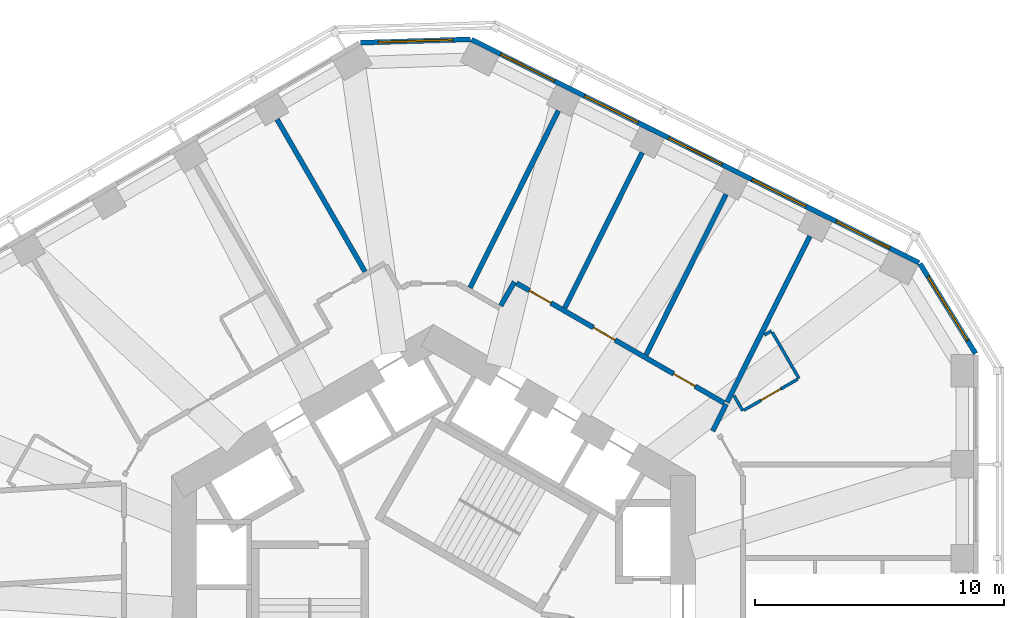
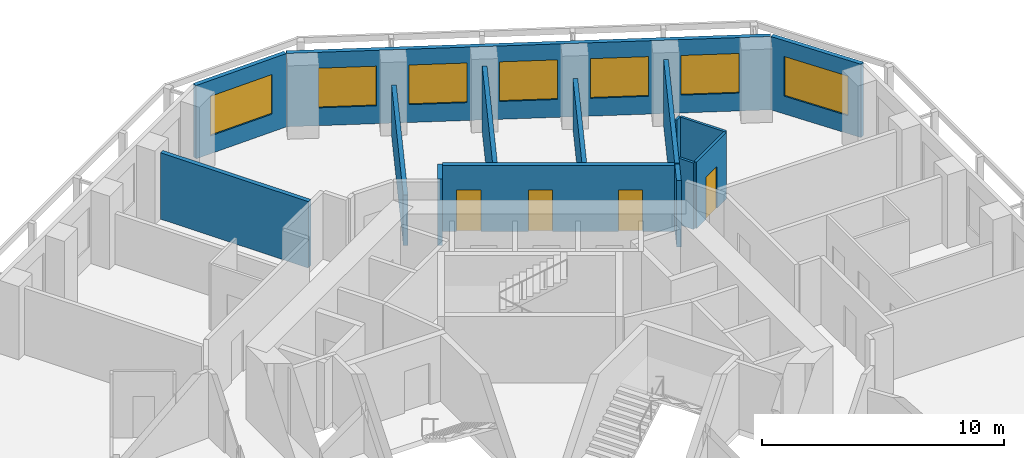
# One storey, part 8 of 11: 15 walls, 7 windows, 4 doors, 11 openings.
"""IFC4 building model written with IfcOpenShell, lengths in metres."""

from ifc_helpers import new_model, si_unit, direction, frame, frame_2d, origin, place, context, subcontext, project, spatial, rectangle, extrude, material, layer, layer_set, type_object, element, fill, save


model = new_model("IFC4")

# Units and contexts
model_context = context("Model", 3, precision=1e-05, world=origin(), true_north=direction((0.0, 1.0)))
body_context = subcontext(model_context, "Body", "Model", "MODEL_VIEW")
ifc_project = project(units=[si_unit("LENGTHUNIT", "METRE"), si_unit("AREAUNIT", "SQUARE_METRE"), si_unit("VOLUMEUNIT", "CUBIC_METRE"), si_unit("PLANEANGLEUNIT", "RADIAN"), si_unit("MASSUNIT", "GRAM", prefix="KILO")], contexts=[model_context])

# Site, building, storey
site_placement = place(None, origin())
site = spatial("IfcSite", under=ifc_project, at=site_placement, CompositionType="ELEMENT")
building_placement = place(site_placement, origin())
building = spatial("IfcBuilding", under=site, at=building_placement, Name="Vanh Sen Convention Tower", CompositionType="ELEMENT")
storey_placement = place(building_placement, frame((0.0, 0.0, 135.5)))
storey = spatial("IfcBuildingStorey", under=building, at=storey_placement, Name="L33", CompositionType="ELEMENT", Elevation=135.5)

# Walls
ifc_material_1 = material(Name="Moisture-resistant gypsum board on steel studs", Category="steel")
ifc_layer_1 = layer(ifc_material_1, 0.1201171875)
ifc_layer_set_1 = layer_set([ifc_layer_1], Name="Moisture-resistant gypsum board on steel studs")
wall_type_1 = type_object("IfcWallType", Name="Bathroom partition 120", PredefinedType="PARTITIONING", material=ifc_layer_set_1)
wall_1_placement = place(storey_placement, frame((12.40087890625, 8.66064453125, 0.0), z_axis=(0.0, 0.0, 1.0), x_axis=(-0.499831418649, 0.866122712398, 0.0)))
element("IfcWall", 1, at=wall_1_placement, inside=storey, type_object=wall_type_1, Name="Bathroom partition 120", PredefinedType="PARTITIONING", context=body_context, shape_type="SweptSolid", body=[
    extrude(rectangle(XDim=0.711181640625, YDim=0.1201171875, at=frame_2d((0.35546875, 0.0))), origin(), (0.0, 0.0, 1.0), 3.35009765625),
])
wall_2_placement = place(storey_placement, frame((13.269287109375, 11.702392578125, 0.0), z_axis=(0.0, 0.0, 1.0), x_axis=(0.865936922628, 0.500153222552, 0.0)))
element("IfcWall", 2, at=wall_2_placement, inside=storey, type_object=wall_type_1, Name="Bathroom partition 120", PredefinedType="PARTITIONING", context=body_context, shape_type="SweptSolid", body=[
    extrude(rectangle(XDim=0.3271484375, YDim=0.1201171875, at=frame_2d((0.16357421875, 0.0))), origin(), (0.0, 0.0, 1.0), 3.35009765625),
])
wall_3_placement = place(storey_placement, frame((13.58251953125, 11.81396484375, 0.0), z_axis=(0.0, 0.0, 1.0), x_axis=(0.500028586798, -0.86600889856, 0.0)))
element("IfcWall", 3, at=wall_3_placement, inside=storey, type_object=wall_type_1, Name="Bathroom partition 120", PredefinedType="PARTITIONING", context=body_context, shape_type="SweptSolid", body=[
    extrude(rectangle(XDim=2.139892578125, YDim=0.1201171875, at=frame_2d((1.06982421875, 0.0))), origin(), (0.0, 0.0, 1.0), 3.35009765625),
])

# Wall, opening, door
wall_4_placement = place(storey_placement, frame((14.6005859375, 9.9306640625, 0.0), z_axis=(0.0, 0.0, 1.0), x_axis=(-0.866023285932, -0.50000366821, 0.0)))
wall_4 = element("IfcWall", 4, at=wall_4_placement, inside=storey, type_object=wall_type_1, Name="Bathroom partition 120", PredefinedType="PARTITIONING", context=body_context, shape_type="SweptSolid", body=[
    extrude(rectangle(XDim=2.47998046875, YDim=0.1201171875, at=frame_2d((1.239990234375, 0.0))), origin(), (0.0, 0.0, 1.0), 3.35009765625),
])
opening_1_placement = place(wall_4_placement, frame((0.7900390625, 0.0, 0.0)))
opening_1 = element("IfcOpeningElement", 5, at=opening_1_placement, cuts=wall_4, Name="Opening D32107", PredefinedType="OPENING", context=body_context, shape_type="SweptSolid", body=[
    extrude(rectangle(XDim=0.89990234375, YDim=2.10009765625, at=frame_2d((0.449951171875, 1.050048828125))), frame((0.0, 0.070068359375, 0.0), z_axis=(0.0, -1.0, 0.0), x_axis=(1.0, 0.0, 0.0)), (0.0, 0.0, 1.0), 0.14013671875),
])
ifc_material_2 = material(Name="Laminate door in steel frame", Category="steel")
door_type_1 = type_object("IfcDoorType", Name="Room internal door 900", OperationType="SINGLE_SWING_LEFT", PredefinedType="DOOR", material=ifc_material_2)
door_1_placement = place(opening_1_placement, origin())
door_1 = element("IfcDoor", 6, at=door_1_placement, inside=storey, type_object=door_type_1, Name="Internal room door D32107", OperationType="SINGLE_SWING_LEFT", OverallHeight=2.10009765625, OverallWidth=0.89990234375, PredefinedType="DOOR", context=body_context, shape_type="SweptSolid", body=[
    extrude(rectangle(XDim=0.89990234375, YDim=2.10009765625, at=frame_2d((0.449951171875, 1.050048828125))), frame((0.0, 0.02490234375, 0.0), z_axis=(0.0, -1.0, 0.0), x_axis=(1.0, 0.0, 0.0)), (0.0, 0.0, 1.0), 0.050048828125),
])
fill(opening_1, door_1)

# Walls
ifc_material_3 = material(Name="Gypsum board on steel studs with mineral wool", Category="steel")
ifc_layer_2 = layer(ifc_material_3, 0.199951171875)
ifc_layer_set_2 = layer_set([ifc_layer_2], Name="Gypsum board on steel studs with mineral wool")
wall_type_2 = type_object("IfcWallType", Name="Corridor partition wall 200", PredefinedType="PARTITIONING", material=ifc_layer_set_2)
wall_5_placement = place(storey_placement, frame((3.248779296875, 13.829345703125, 0.0), z_axis=(0.0, 0.0, 1.0), x_axis=(-0.499812034598, -0.866133898465, 0.0)))
element("IfcWall", 7, at=wall_5_placement, inside=storey, type_object=wall_type_2, Name="Corridor partition wall 200", PredefinedType="PARTITIONING", context=body_context, shape_type="SweptSolid", body=[
    extrude(rectangle(XDim=1.10107421875, YDim=0.199951171875, at=frame_2d((0.550537109375, 0.0))), origin(), (0.0, 0.0, 1.0), 3.35009765625),
])
wall_6_placement = place(storey_placement, frame((11.1962890625, 7.85400390625, 0.0), z_axis=(0.0, 0.0, 1.0), x_axis=(0.446241040303, 0.894912808015, 0.0)))
element("IfcWall", 8, at=wall_6_placement, inside=storey, type_object=wall_type_2, Name="Corridor partition wall 200", PredefinedType="PARTITIONING", context=body_context, shape_type="SweptSolid", body=[
    extrude(rectangle(XDim=1.205322265625, YDim=0.199951171875, at=frame_2d((0.6025390625, 0.0))), origin(), (0.0, 0.0, 1.0), 3.35009765625),
])

# Wall, openings, doors
wall_7_placement = place(storey_placement, frame((11.646484375, 8.98095703125, 0.0), z_axis=(0.0, 0.0, 1.0), x_axis=(-0.866027142779, 0.499996987961, 0.0)))
wall_7 = element("IfcWall", 9, at=wall_7_placement, inside=storey, type_object=wall_type_2, Name="Corridor partition wall 200", PredefinedType="PARTITIONING", context=body_context, shape_type="SweptSolid", body=[
    extrude(rectangle(XDim=9.5966796875, YDim=0.199951171875, at=frame_2d((4.79833984375, 0.0))), origin(), (0.0, 0.0, 1.0), 3.35009765625),
])
opening_2_placement = place(wall_7_placement, frame((1.33056640625, 0.0, 0.0)))
opening_2 = element("IfcOpeningElement", 10, at=opening_2_placement, cuts=wall_7, Name="Opening D32108", PredefinedType="OPENING", context=body_context, shape_type="SweptSolid", body=[
    extrude(rectangle(XDim=1.0, YDim=2.10009765625, at=frame_2d((0.5, 1.050048828125))), frame((0.0, 0.10986328125, 0.0), z_axis=(0.0, -1.0, 0.0), x_axis=(1.0, 0.0, 0.0)), (0.0, 0.0, 1.0), 0.219970703125),
])
opening_3_placement = place(wall_7_placement, frame((5.041748046875, 0.0, 0.0)))
opening_3 = element("IfcOpeningElement", 11, at=opening_3_placement, cuts=wall_7, Name="Opening D32109", PredefinedType="OPENING", context=body_context, shape_type="SweptSolid", body=[
    extrude(rectangle(XDim=1.0, YDim=2.10009765625, at=frame_2d((0.5, 1.050048828125))), frame((0.0, 0.10986328125, 0.0), z_axis=(0.0, -1.0, 0.0), x_axis=(1.0, 0.0, 0.0)), (0.0, 0.0, 1.0), 0.219970703125),
])
opening_4_placement = place(wall_7_placement, frame((8.009521484375, 0.0, 0.0)))
opening_4 = element("IfcOpeningElement", 12, at=opening_4_placement, cuts=wall_7, Name="Opening D32110", PredefinedType="OPENING", context=body_context, shape_type="SweptSolid", body=[
    extrude(rectangle(XDim=1.0, YDim=2.10009765625, at=frame_2d((0.5, 1.050048828125))), frame((0.0, 0.10986328125, 0.0), z_axis=(0.0, -1.0, 0.0), x_axis=(1.0, 0.0, 0.0)), (0.0, 0.0, 1.0), 0.219970703125),
])
ifc_material_4 = material(Name="Glazed fire door in steel frame", Category="steel")
door_type_2 = type_object("IfcDoorType", Name="Tenant entrance door 1000", OperationType="SINGLE_SWING_LEFT", PredefinedType="DOOR", material=ifc_material_4)
door_2_placement = place(opening_2_placement, origin())
door_2 = element("IfcDoor", 13, at=door_2_placement, inside=storey, type_object=door_type_2, Name="Tenant suite entrance door D32108", OperationType="SINGLE_SWING_LEFT", OverallHeight=2.10009765625, OverallWidth=1.0, PredefinedType="DOOR", context=body_context, shape_type="SweptSolid", body=[
    extrude(rectangle(XDim=1.0, YDim=2.10009765625, at=frame_2d((0.5, 1.050048828125))), frame((0.0, 0.02490234375, 0.0), z_axis=(0.0, -1.0, 0.0), x_axis=(1.0, 0.0, 0.0)), (0.0, 0.0, 1.0), 0.050048828125),
])
fill(opening_2, door_2)
door_3_placement = place(opening_3_placement, origin())
door_3 = element("IfcDoor", 14, at=door_3_placement, inside=storey, type_object=door_type_2, Name="Tenant suite entrance door D32109", OperationType="SINGLE_SWING_LEFT", OverallHeight=2.10009765625, OverallWidth=1.0, PredefinedType="DOOR", context=body_context, shape_type="SweptSolid", body=[
    extrude(rectangle(XDim=1.0, YDim=2.10009765625, at=frame_2d((0.5, 1.050048828125))), frame((0.0, 0.02490234375, 0.0), z_axis=(0.0, -1.0, 0.0), x_axis=(1.0, 0.0, 0.0)), (0.0, 0.0, 1.0), 0.050048828125),
])
fill(opening_3, door_3)
door_4_placement = place(opening_4_placement, origin())
door_4 = element("IfcDoor", 15, at=door_4_placement, inside=storey, type_object=door_type_2, Name="Tenant suite entrance door D32110", OperationType="SINGLE_SWING_LEFT", OverallHeight=2.10009765625, OverallWidth=1.0, PredefinedType="DOOR", context=body_context, shape_type="SweptSolid", body=[
    extrude(rectangle(XDim=1.0, YDim=2.10009765625, at=frame_2d((0.5, 1.050048828125))), frame((0.0, 0.02490234375, 0.0), z_axis=(0.0, -1.0, 0.0), x_axis=(1.0, 0.0, 0.0)), (0.0, 0.0, 1.0), 0.050048828125),
])
fill(opening_4, door_4)

# Wall, opening, window
ifc_material_5 = material(Name="Insulated lightweight infill wall")
ifc_layer_3 = layer(ifc_material_5, 0.199951171875)
ifc_layer_set_3 = layer_set([ifc_layer_3], Name="Insulated lightweight infill wall")
wall_type_3 = type_object("IfcWallType", Name="External wall 200", PredefinedType="STANDARD", material=ifc_layer_set_3)
wall_8_placement = place(storey_placement, frame((21.735107421875, 10.9580078125, 0.0), z_axis=(0.0, 0.0, 1.0), x_axis=(-0.526213807775, 0.850352296702, 0.0)))
wall_8 = element("IfcWall", 16, at=wall_8_placement, inside=storey, type_object=wall_type_3, Name="External wall CH1 L33", PredefinedType="STANDARD", context=body_context, shape_type="SweptSolid", body=[
    extrude(rectangle(XDim=4.23828125, YDim=0.199951171875, at=frame_2d((2.119140625, 0.0))), origin(), (0.0, 0.0, 1.0), 3.699951171875),
])
opening_5_placement = place(wall_8_placement, frame((0.619140625, 0.0, 0.89990234375)))
opening_5 = element("IfcOpeningElement", 17, at=opening_5_placement, cuts=wall_8, Name="Opening WO2-CH11", PredefinedType="OPENING", context=body_context, shape_type="SweptSolid", body=[
    extrude(rectangle(XDim=3.0, YDim=2.0, at=frame_2d((1.5, 1.0))), frame((0.0, 0.10986328125, 0.0), z_axis=(0.0, -1.0, 0.0), x_axis=(1.0, 0.0, 0.0)), (0.0, 0.0, 1.0), 0.219970703125),
])
ifc_material_6 = material(Name="Aluminium frame with clear low-emissivity glass", Category="aluminium")
window_type_1 = type_object("IfcWindowType", Name="Office window 3000 x 2000", PartitioningType="SINGLE_PANEL", PredefinedType="WINDOW", material=ifc_material_6)
window_1_placement = place(opening_5_placement, origin())
window_1 = element("IfcWindow", 18, at=window_1_placement, inside=storey, type_object=window_type_1, Name="Window WO2-CH11", OverallHeight=2.0, OverallWidth=3.0, PartitioningType="SINGLE_PANEL", PredefinedType="WINDOW", context=body_context, shape_type="SweptSolid", body=[
    extrude(rectangle(XDim=3.0, YDim=2.0, at=frame_2d((1.5, 1.0))), frame((0.0, 0.030029296875, 0.0), z_axis=(0.0, -1.0, 0.0), x_axis=(1.0, 0.0, 0.0)), (0.0, 0.0, 1.0), 0.06005859375),
])
fill(opening_5, window_1)

# Wall, openings, windows
wall_9_placement = place(storey_placement, frame((19.46435546875, 14.598876953125, 0.0), z_axis=(0.0, 0.0, 1.0), x_axis=(-0.894935755043, 0.446195018289, 0.0)))
wall_9 = element("IfcWall", 19, at=wall_9_placement, inside=storey, type_object=wall_type_3, Name="External wall NE L33", PredefinedType="STANDARD", context=body_context, shape_type="SweptSolid", body=[
    extrude(rectangle(XDim=20.043701171875, YDim=0.199951171875, at=frame_2d((10.02197265625, 0.0))), origin(), (0.0, 0.0, 1.0), 3.699951171875),
])
opening_6_placement = place(wall_9_placement, frame((1.31298828125, 0.0, 0.89990234375)))
opening_6 = element("IfcOpeningElement", 20, at=opening_6_placement, cuts=wall_9, Name="Opening WO1-NE1", PredefinedType="OPENING", context=body_context, shape_type="SweptSolid", body=[
    extrude(rectangle(XDim=2.39990234375, YDim=2.0, at=frame_2d((1.199951171875, 1.0))), frame((0.0, 0.10986328125, 0.0), z_axis=(0.0, -1.0, 0.0), x_axis=(1.0, 0.0, 0.0)), (0.0, 0.0, 1.0), 0.219970703125),
])
opening_7_placement = place(wall_9_placement, frame((5.06689453125, 0.0, 0.89990234375)))
opening_7 = element("IfcOpeningElement", 21, at=opening_7_placement, cuts=wall_9, Name="Opening WO1-NE2", PredefinedType="OPENING", context=body_context, shape_type="SweptSolid", body=[
    extrude(rectangle(XDim=2.39990234375, YDim=2.0, at=frame_2d((1.199951171875, 1.0))), frame((0.0, 0.10986328125, 0.0), z_axis=(0.0, -1.0, 0.0), x_axis=(1.0, 0.0, 0.0)), (0.0, 0.0, 1.0), 0.219970703125),
])
opening_8_placement = place(wall_9_placement, frame((8.821044921875, 0.0, 0.89990234375)))
opening_8 = element("IfcOpeningElement", 22, at=opening_8_placement, cuts=wall_9, Name="Opening WO1-NE3", PredefinedType="OPENING", context=body_context, shape_type="SweptSolid", body=[
    extrude(rectangle(XDim=2.39990234375, YDim=2.0, at=frame_2d((1.199951171875, 1.0))), frame((0.0, 0.10986328125, 0.0), z_axis=(0.0, -1.0, 0.0), x_axis=(1.0, 0.0, 0.0)), (0.0, 0.0, 1.0), 0.219970703125),
])
opening_9_placement = place(wall_9_placement, frame((12.5751953125, 0.0, 0.89990234375)))
opening_9 = element("IfcOpeningElement", 23, at=opening_9_placement, cuts=wall_9, Name="Opening WO1-NE4", PredefinedType="OPENING", context=body_context, shape_type="SweptSolid", body=[
    extrude(rectangle(XDim=2.39990234375, YDim=2.0, at=frame_2d((1.199951171875, 1.0))), frame((0.0, 0.10986328125, 0.0), z_axis=(0.0, -1.0, 0.0), x_axis=(1.0, 0.0, 0.0)), (0.0, 0.0, 1.0), 0.219970703125),
])
opening_10_placement = place(wall_9_placement, frame((16.329345703125, 0.0, 0.89990234375)))
opening_10 = element("IfcOpeningElement", 24, at=opening_10_placement, cuts=wall_9, Name="Opening WO1-NE5", PredefinedType="OPENING", context=body_context, shape_type="SweptSolid", body=[
    extrude(rectangle(XDim=2.39990234375, YDim=2.0, at=frame_2d((1.199951171875, 1.0))), frame((0.0, 0.10986328125, 0.0), z_axis=(0.0, -1.0, 0.0), x_axis=(1.0, 0.0, 0.0)), (0.0, 0.0, 1.0), 0.219970703125),
])
window_type_2 = type_object("IfcWindowType", Name="Office window 2400 x 2000", PartitioningType="SINGLE_PANEL", PredefinedType="WINDOW", material=ifc_material_6)
window_2_placement = place(opening_6_placement, origin())
window_2 = element("IfcWindow", 25, at=window_2_placement, inside=storey, type_object=window_type_2, Name="Window WO1-NE1", OverallHeight=2.0, OverallWidth=2.39990234375, PartitioningType="SINGLE_PANEL", PredefinedType="WINDOW", context=body_context, shape_type="SweptSolid", body=[
    extrude(rectangle(XDim=2.39990234375, YDim=2.0, at=frame_2d((1.199951171875, 1.0))), frame((0.0, 0.030029296875, 0.0), z_axis=(0.0, -1.0, 0.0), x_axis=(1.0, 0.0, 0.0)), (0.0, 0.0, 1.0), 0.06005859375),
])
fill(opening_6, window_2)
window_3_placement = place(opening_7_placement, origin())
window_3 = element("IfcWindow", 26, at=window_3_placement, inside=storey, type_object=window_type_2, Name="Window WO1-NE2", OverallHeight=2.0, OverallWidth=2.39990234375, PartitioningType="SINGLE_PANEL", PredefinedType="WINDOW", context=body_context, shape_type="SweptSolid", body=[
    extrude(rectangle(XDim=2.39990234375, YDim=2.0, at=frame_2d((1.199951171875, 1.0))), frame((0.0, 0.030029296875, 0.0), z_axis=(0.0, -1.0, 0.0), x_axis=(1.0, 0.0, 0.0)), (0.0, 0.0, 1.0), 0.06005859375),
])
fill(opening_7, window_3)
window_4_placement = place(opening_8_placement, origin())
window_4 = element("IfcWindow", 27, at=window_4_placement, inside=storey, type_object=window_type_2, Name="Window WO1-NE3", OverallHeight=2.0, OverallWidth=2.39990234375, PartitioningType="SINGLE_PANEL", PredefinedType="WINDOW", context=body_context, shape_type="SweptSolid", body=[
    extrude(rectangle(XDim=2.39990234375, YDim=2.0, at=frame_2d((1.199951171875, 1.0))), frame((0.0, 0.030029296875, 0.0), z_axis=(0.0, -1.0, 0.0), x_axis=(1.0, 0.0, 0.0)), (0.0, 0.0, 1.0), 0.06005859375),
])
fill(opening_8, window_4)
window_5_placement = place(opening_9_placement, origin())
window_5 = element("IfcWindow", 28, at=window_5_placement, inside=storey, type_object=window_type_2, Name="Window WO1-NE4", OverallHeight=2.0, OverallWidth=2.39990234375, PartitioningType="SINGLE_PANEL", PredefinedType="WINDOW", context=body_context, shape_type="SweptSolid", body=[
    extrude(rectangle(XDim=2.39990234375, YDim=2.0, at=frame_2d((1.199951171875, 1.0))), frame((0.0, 0.030029296875, 0.0), z_axis=(0.0, -1.0, 0.0), x_axis=(1.0, 0.0, 0.0)), (0.0, 0.0, 1.0), 0.06005859375),
])
fill(opening_9, window_5)
window_6_placement = place(opening_10_placement, origin())
window_6 = element("IfcWindow", 29, at=window_6_placement, inside=storey, type_object=window_type_2, Name="Window WO1-NE5", OverallHeight=2.0, OverallWidth=2.39990234375, PartitioningType="SINGLE_PANEL", PredefinedType="WINDOW", context=body_context, shape_type="SweptSolid", body=[
    extrude(rectangle(XDim=2.39990234375, YDim=2.0, at=frame_2d((1.199951171875, 1.0))), frame((0.0, 0.030029296875, 0.0), z_axis=(0.0, -1.0, 0.0), x_axis=(1.0, 0.0, 0.0)), (0.0, 0.0, 1.0), 0.06005859375),
])
fill(opening_10, window_6)

# Wall, opening, window
wall_10_placement = place(storey_placement, frame((1.478759765625, 23.552734375, 0.0), z_axis=(0.0, 0.0, 1.0), x_axis=(-0.999534786117, -0.03049936625, 0.0)))
wall_10 = element("IfcWall", 30, at=wall_10_placement, inside=storey, type_object=wall_type_3, Name="External wall CH2 L33", PredefinedType="STANDARD", context=body_context, shape_type="SweptSolid", body=[
    extrude(rectangle(XDim=4.39453125, YDim=0.199951171875, at=frame_2d((2.197265625, 0.0))), origin(), (0.0, 0.0, 1.0), 3.699951171875),
])
opening_11_placement = place(wall_10_placement, frame((0.697509765625, 0.0, 0.89990234375)))
opening_11 = element("IfcOpeningElement", 31, at=opening_11_placement, cuts=wall_10, Name="Opening WO2-CH21", PredefinedType="OPENING", context=body_context, shape_type="SweptSolid", body=[
    extrude(rectangle(XDim=3.0, YDim=2.0, at=frame_2d((1.5, 1.0))), frame((0.0, 0.10986328125, 0.0), z_axis=(0.0, -1.0, 0.0), x_axis=(1.0, 0.0, 0.0)), (0.0, 0.0, 1.0), 0.219970703125),
])
window_7_placement = place(opening_11_placement, origin())
window_7 = element("IfcWindow", 32, at=window_7_placement, inside=storey, type_object=window_type_1, Name="Window WO2-CH21", OverallHeight=2.0, OverallWidth=3.0, PartitioningType="SINGLE_PANEL", PredefinedType="WINDOW", context=body_context, shape_type="SweptSolid", body=[
    extrude(rectangle(XDim=3.0, YDim=2.0, at=frame_2d((1.5, 1.0))), frame((0.0, 0.030029296875, 0.0), z_axis=(0.0, -1.0, 0.0), x_axis=(1.0, 0.0, 0.0)), (0.0, 0.0, 1.0), 0.06005859375),
])
fill(opening_11, window_7)

# Walls
ifc_layer_4 = layer(ifc_material_3, 0.199951171875)
ifc_layer_set_4 = layer_set([ifc_layer_4], Name="Gypsum board on steel studs with mineral wool")
wall_type_4 = type_object("IfcWallType", Name="Tenant suite wall 200", PredefinedType="PARTITIONING", material=ifc_layer_set_4)
wall_11_placement = place(storey_placement, frame((-6.26416015625, 20.343505859375, 0.0), z_axis=(0.0, 0.0, 1.0), x_axis=(0.500009260695, -0.866020057054, 0.0)))
element("IfcWall", 33, at=wall_11_placement, inside=storey, type_object=wall_type_4, Name="Tenant suite wall 200", PredefinedType="PARTITIONING", context=body_context, shape_type="SweptSolid", body=[
    extrude(rectangle(XDim=7.049072265625, YDim=0.199951171875, at=frame_2d((3.5244140625, 0.0))), origin(), (0.0, 0.0, 1.0), 3.35009765625),
])
wall_12_placement = place(storey_placement, frame((5.010498046875, 20.68798828125, 0.0), z_axis=(0.0, 0.0, 1.0), x_axis=(-0.446203062394, -0.894931744386, 0.0)))
element("IfcWall", 34, at=wall_12_placement, inside=storey, type_object=wall_type_4, Name="Tenant suite wall 200", PredefinedType="PARTITIONING", context=body_context, shape_type="SweptSolid", body=[
    extrude(rectangle(XDim=7.926513671875, YDim=0.199951171875, at=frame_2d((3.96337890625, 0.0))), origin(), (0.0, 0.0, 1.0), 2.550048828125),
])
wall_13_placement = place(storey_placement, frame((8.3701171875, 19.012939453125, 0.0), z_axis=(0.0, 0.0, 1.0), x_axis=(-0.446187985757, -0.894939261272, 0.0)))
element("IfcWall", 35, at=wall_13_placement, inside=storey, type_object=wall_type_4, Name="Tenant suite wall 200", PredefinedType="PARTITIONING", context=body_context, shape_type="SweptSolid", body=[
    extrude(rectangle(XDim=6.952880859375, YDim=0.199951171875, at=frame_2d((3.4765625, 0.0))), origin(), (0.0, 0.0, 1.0), 3.35009765625),
])
wall_14_placement = place(storey_placement, frame((11.729736328125, 17.337890625, 0.0), z_axis=(0.0, 0.0, 1.0), x_axis=(-0.446193589186, -0.894936467561, 0.0)))
element("IfcWall", 36, at=wall_14_placement, inside=storey, type_object=wall_type_4, Name="Tenant suite wall 200", PredefinedType="PARTITIONING", context=body_context, shape_type="SweptSolid", body=[
    extrude(rectangle(XDim=7.1826171875, YDim=0.199951171875, at=frame_2d((3.59130859375, 0.0))), origin(), (0.0, 0.0, 1.0), 2.550048828125),
])
wall_15_placement = place(storey_placement, frame((15.089599609375, 15.66259765625, 0.0), z_axis=(0.0, 0.0, 1.0), x_axis=(-0.446203977428, -0.89493128816, 0.0)))
element("IfcWall", 37, at=wall_15_placement, inside=storey, type_object=wall_type_4, Name="Tenant suite wall 200", PredefinedType="PARTITIONING", context=body_context, shape_type="SweptSolid", body=[
    extrude(rectangle(XDim=7.449951171875, YDim=0.199951171875, at=frame_2d((3.72509765625, 0.0))), origin(), (0.0, 0.0, 1.0), 3.35009765625),
])

save(model, "model.ifc")
